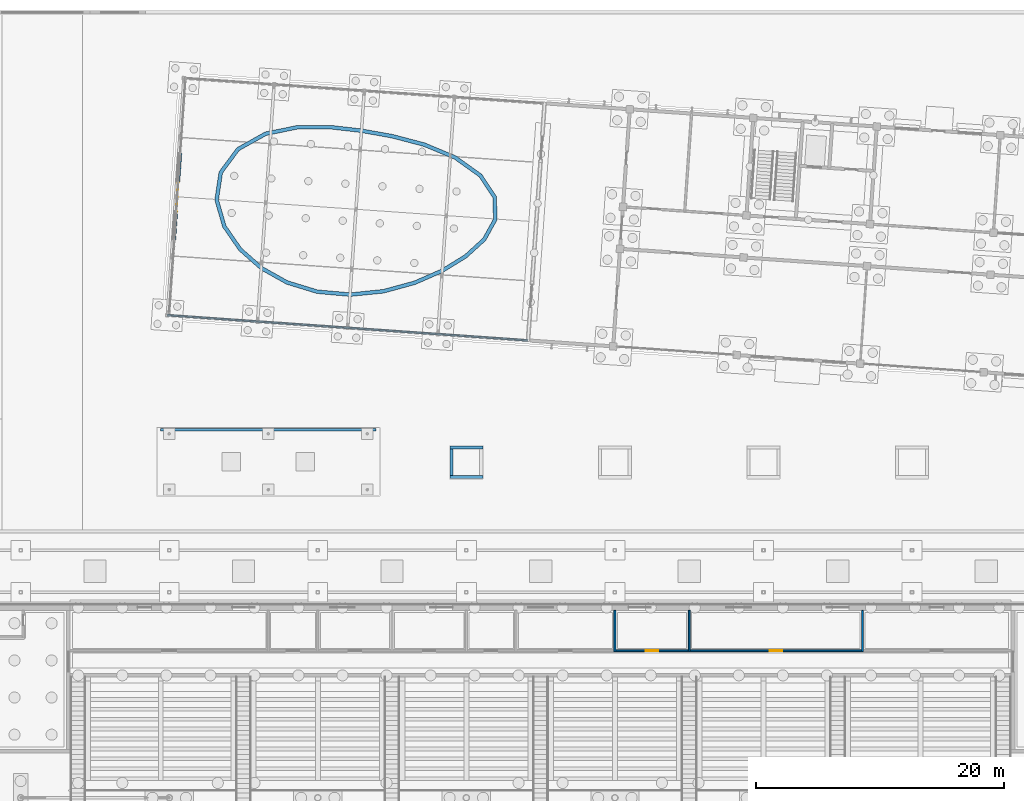
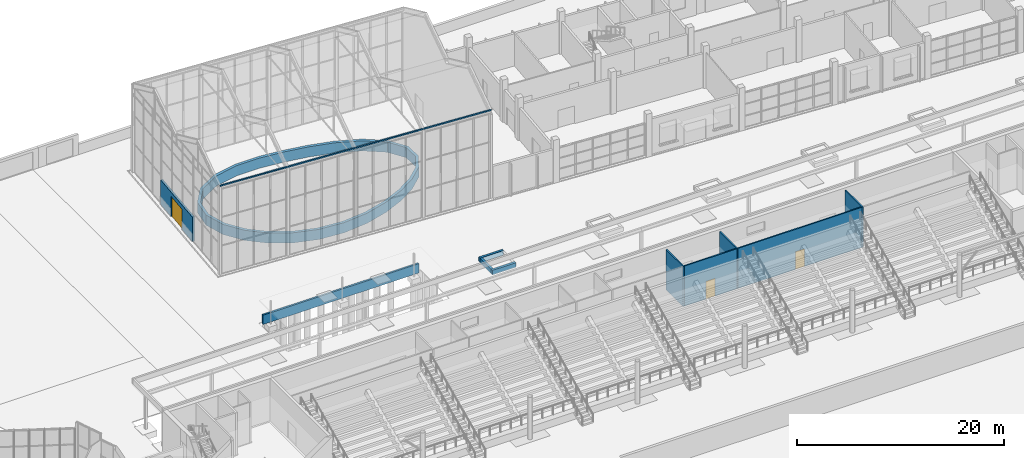
# One storey, part 97 of 157: 12 walls, 3 doors, 3 openings.
"""IFC4 building model written with IfcOpenShell, lengths in metres."""

from ifc_helpers import new_model, si_unit, direction, frame, frame_2d, origin, place, context, subcontext, project, spatial, polyline, rectangle, outline, extrude, material, layer, layer_set, type_object, element, fill, save


model = new_model("IFC4")

# Units and contexts
model_context = context("Model", 3, precision=1e-05, world=origin(), true_north=direction((0.0, 1.0)))
body_context = subcontext(model_context, "Body", "Model", "MODEL_VIEW")
ifc_project = project(units=[si_unit("LENGTHUNIT", "METRE"), si_unit("AREAUNIT", "SQUARE_METRE"), si_unit("VOLUMEUNIT", "CUBIC_METRE"), si_unit("PLANEANGLEUNIT", "RADIAN"), si_unit("MASSUNIT", "GRAM", prefix="KILO")], contexts=[model_context])

# Site, building, storey
site_placement = place(None, origin())
site = spatial("IfcSite", under=ifc_project, at=site_placement, CompositionType="ELEMENT")
building_placement = place(site_placement, origin())
building = spatial("IfcBuilding", under=site, at=building_placement, Name="Windward Yard Aquatics Centre", CompositionType="ELEMENT")
storey_placement = place(building_placement, origin())
storey = spatial("IfcBuildingStorey", under=building, at=storey_placement, Name="L00", CompositionType="ELEMENT", Elevation=0.0)

# Wall
ifc_material_1 = material(Name="Blockwork 150 mm", Category="masonry")
ifc_layer_1 = layer(ifc_material_1, 0.14990234375)
ifc_layer_set_1 = layer_set([ifc_layer_1], Name="H Partition Blockwork 150")
wall_type_1 = type_object("IfcWallType", Name="H Partition Blockwork 150", PredefinedType="PARTITIONING", material=ifc_layer_set_1)
wall_1_placement = place(storey_placement, frame((108.0, 95.550048828125, 0.0), z_axis=(0.0, 0.0, 1.0), x_axis=(0.0, -1.0, 0.0)))
element("IfcWall", 1, at=wall_1_placement, inside=storey, type_object=wall_type_1, Name="L00 partition Ticketing and Security Office", PredefinedType="PARTITIONING", context=body_context, shape_type="SweptSolid", body=[
    extrude(rectangle(XDim=3.344970703125, YDim=0.14990234375, at=frame_2d((1.67236328125, 0.0))), origin(), (0.0, 0.0, 1.0), 4.75),
])

# Wall, opening, door
wall_2_placement = place(storey_placement, frame((108.074951171875, 92.280029296875, 0.0), z_axis=(0.0, 0.0, 1.0), x_axis=(1.0, 0.0, 0.0)))
wall_2 = element("IfcWall", 2, at=wall_2_placement, inside=storey, type_object=wall_type_1, Name="L00 partition Cleaner's Store", PredefinedType="PARTITIONING", context=body_context, shape_type="SweptSolid", body=[
    extrude(rectangle(XDim=5.85009765625, YDim=0.14990234375, at=frame_2d((2.925048828125, 0.0))), origin(), (0.0, 0.0, 1.0), 4.75),
])
opening_1_placement = place(wall_2_placement, frame((2.425048828125, 0.0, 0.0)))
opening_1 = element("IfcOpeningElement", 3, at=opening_1_placement, cuts=wall_2, Name="Opening H0044", PredefinedType="OPENING", context=body_context, shape_type="SweptSolid", body=[
    extrude(rectangle(XDim=1.0, YDim=2.10009765625, at=frame_2d((0.5, 1.050048828125))), frame((0.0, 0.0849609375, 0.0), z_axis=(0.0, -1.0, 0.0), x_axis=(1.0, 0.0, 0.0)), (0.0, 0.0, 1.0), 0.169921875),
])
ifc_material_2 = material(Name="Steel and timber door leaf", Category="steel")
door_type_1 = type_object("IfcDoorType", Name="H Door Single 1000 x 2100 FD30S", OperationType="NOTDEFINED", PredefinedType="DOOR", material=ifc_material_2)
door_1_placement = place(opening_1_placement, origin())
door_1 = element("IfcDoor", 4, at=door_1_placement, inside=storey, type_object=door_type_1, Name="L00 Cleaner's Store door", OperationType="SINGLE_SWING_RIGHT", OverallHeight=2.10009765625, OverallWidth=1.0, PredefinedType="DOOR", context=body_context, shape_type="SweptSolid", body=[
    extrude(rectangle(XDim=1.0, YDim=2.10009765625, at=frame_2d((0.5, 1.050048828125))), frame((0.0, 0.02490234375, 0.0), z_axis=(0.0, -1.0, 0.0), x_axis=(1.0, 0.0, 0.0)), (0.0, 0.0, 1.0), 0.050048828125),
])
fill(opening_1, door_1)

# Wall
wall_3_placement = place(storey_placement, frame((114.0, 95.550048828125, 0.0), z_axis=(0.0, 0.0, 1.0), x_axis=(0.0, -1.0, 0.0)))
element("IfcWall", 5, at=wall_3_placement, inside=storey, type_object=wall_type_1, Name="L00 partition Cleaner's Store", PredefinedType="PARTITIONING", context=body_context, shape_type="SweptSolid", body=[
    extrude(rectangle(XDim=3.344970703125, YDim=0.14990234375, at=frame_2d((1.67236328125, 0.0))), origin(), (0.0, 0.0, 1.0), 4.75),
])

# Wall, opening, door
wall_4_placement = place(storey_placement, frame((114.074951171875, 92.280029296875, 0.0), z_axis=(0.0, 0.0, 1.0), x_axis=(1.0, 0.0, 0.0)))
wall_4 = element("IfcWall", 6, at=wall_4_placement, inside=storey, type_object=wall_type_1, Name="L00 partition Pool Equipment Store", PredefinedType="PARTITIONING", context=body_context, shape_type="SweptSolid", body=[
    extrude(rectangle(XDim=13.85009765625, YDim=0.14990234375, at=frame_2d((6.925048828125, 0.0))), origin(), (0.0, 0.0, 1.0), 4.75),
])
opening_2_placement = place(wall_4_placement, frame((6.425048828125, 0.0, 0.0)))
opening_2 = element("IfcOpeningElement", 7, at=opening_2_placement, cuts=wall_4, Name="Opening H0045", PredefinedType="OPENING", context=body_context, shape_type="SweptSolid", body=[
    extrude(rectangle(XDim=1.0, YDim=2.10009765625, at=frame_2d((0.5, 1.050048828125))), frame((0.0, 0.0849609375, 0.0), z_axis=(0.0, -1.0, 0.0), x_axis=(1.0, 0.0, 0.0)), (0.0, 0.0, 1.0), 0.169921875),
])
door_2_placement = place(opening_2_placement, origin())
door_2 = element("IfcDoor", 8, at=door_2_placement, inside=storey, type_object=door_type_1, Name="L00 Pool Equipment Store door", OperationType="SINGLE_SWING_LEFT", OverallHeight=2.10009765625, OverallWidth=1.0, PredefinedType="DOOR", context=body_context, shape_type="SweptSolid", body=[
    extrude(rectangle(XDim=1.0, YDim=2.10009765625, at=frame_2d((0.5, 1.050048828125))), frame((0.0, 0.02490234375, 0.0), z_axis=(0.0, -1.0, 0.0), x_axis=(1.0, 0.0, 0.0)), (0.0, 0.0, 1.0), 0.050048828125),
])
fill(opening_2, door_2)

# Walls
wall_5_placement = place(storey_placement, frame((128.0, 95.550048828125, 0.0), z_axis=(0.0, 0.0, 1.0), x_axis=(0.0, -1.0, 0.0)))
element("IfcWall", 9, at=wall_5_placement, inside=storey, type_object=wall_type_1, Name="L00 partition Pool Equipment Store", PredefinedType="PARTITIONING", context=body_context, shape_type="SweptSolid", body=[
    extrude(rectangle(XDim=3.344970703125, YDim=0.14990234375, at=frame_2d((1.67236328125, 0.0))), origin(), (0.0, 0.0, 1.0), 4.75),
])
ifc_material_3 = material(Name="Aluminium composite cladding on steel", Category="steel")
ifc_layer_2 = layer(ifc_material_3, 0.14990234375)
ifc_layer_set_2 = layer_set([ifc_layer_2], Name="W eaves fascia 150")
wall_type_2 = type_object("IfcWallType", Name="W eaves fascia 150", PredefinedType="SOLIDWALL", material=ifc_layer_set_2)
wall_6_placement = place(storey_placement, frame((71.851318359375, 119.38330078125, 10.39990234375), z_axis=(0.0, 0.0, 1.0), x_axis=(0.997564072287, -0.069756158737, 0.0)))
element("IfcWall", 10, at=wall_6_placement, inside=storey, type_object=wall_type_2, Name="W.FAS.S", PredefinedType="SOLIDWALL", context=body_context, shape_type="SweptSolid", body=[
    extrude(rectangle(XDim=29.19970703125, YDim=0.14990234375, at=frame_2d((14.599853515625, 0.0))), origin(), (0.0, 0.0, 1.0), 0.10009765625),
])

# Wall, opening, door
ifc_material_4 = material(Name="Concrete C40/50", Category="concrete")
ifc_layer_3 = layer(ifc_material_4, 0.25)
ifc_layer_set_3 = layer_set([ifc_layer_3], Name="W facade wall 250 Precast Concrete C40/50")
wall_type_3 = type_object("IfcWallType", Name="W facade wall 250 Precast Concrete C40/50", PredefinedType="SOLIDWALL", material=ifc_layer_set_3)
wall_7_placement = place(storey_placement, frame((72.4033203125, 125.459716796875, 0.0), z_axis=(0.0, 0.0, 1.0), x_axis=(0.069757280782, 0.997563993826, 0.0)))
wall_7 = element("IfcWall", 11, at=wall_7_placement, inside=storey, type_object=wall_type_3, Name="W.FW.L00.HWE", PredefinedType="SOLIDWALL", context=body_context, shape_type="SweptSolid", body=[
    extrude(rectangle(XDim=6.999755859375, YDim=0.25, at=frame_2d((3.5, 0.0))), origin(), (0.0, 0.0, 1.0), 2.89990234375),
])
opening_3_placement = place(wall_7_placement, frame((2.300048828125, 0.0, 0.0)))
opening_3 = element("IfcOpeningElement", 12, at=opening_3_placement, cuts=wall_7, Name="Opening W0004", PredefinedType="OPENING", context=body_context, shape_type="SweptSolid", body=[
    extrude(rectangle(XDim=2.39990234375, YDim=2.39990234375, at=frame_2d((1.199951171875, 1.199951171875))), frame((0.0, 0.135009765625, 0.0), z_axis=(0.0, -1.0, 0.0), x_axis=(1.0, 0.0, 0.0)), (0.0, 0.0, 1.0), 0.27001953125),
])
ifc_material_5 = material(Name="Aluminium and glass automatic sliding door", Category="aluminium")
door_type_2 = type_object("IfcDoorType", Name="W entrance door 2400x2400", OperationType="DOUBLE_DOOR_SLIDING", PredefinedType="DOOR", material=ifc_material_5)
door_3_placement = place(opening_3_placement, origin())
door_3 = element("IfcDoor", 13, at=door_3_placement, inside=storey, type_object=door_type_2, Name="W.DRX.L00.W0004", OperationType="DOUBLE_DOOR_SLIDING", OverallHeight=2.39990234375, OverallWidth=2.39990234375, PredefinedType="DOOR", context=body_context, shape_type="SweptSolid", body=[
    extrude(rectangle(XDim=2.39990234375, YDim=2.39990234375, at=frame_2d((1.199951171875, 1.199951171875))), frame((0.0, 0.02490234375, 0.0), z_axis=(0.0, -1.0, 0.0), x_axis=(1.0, 0.0, 0.0)), (0.0, 0.0, 1.0), 0.050048828125),
])
fill(opening_3, door_3)

# Walls
ifc_material_6 = material(Name="Ceramic tile in waterproof adhesive")
ifc_layer_4 = layer(ifc_material_6, 0.02, Name="Tile lining")
ifc_material_7 = material(Name="Cementitious waterproofing membrane")
ifc_layer_5 = layer(ifc_material_7, 0.005, Name="Waterproofing")
ifc_material_8 = material(Name="Concrete C35/45", Category="concrete")
ifc_layer_6 = layer(ifc_material_8, 0.275, Name="Structure")
ifc_layer_set_4 = layer_set([ifc_layer_4, ifc_layer_5, ifc_layer_6], Name="W pool tank wall 300 Concrete C35/45")
wall_type_4 = type_object("IfcWallType", Name="W pool tank wall 300 Concrete C35/45", PredefinedType="SOLIDWALL", material=ifc_layer_set_4)
wall_8_placement = place(storey_placement, frame((0.0, 0.0, -1.199951171875)))
element("IfcWall", 14, at=wall_8_placement, inside=storey, type_object=wall_type_4, Name="W.TANK.WALL", PredefinedType="SOLIDWALL", context=body_context, shape_type="SweptSolid", body=[
    extrude(outline(polyline([(75.67626953125, 128.6982421875), (76.020751953125, 130.9716796875), (77.460693359375, 132.916015625), (79.7431640625, 134.18896484375), (82.404052734375, 134.7255859375), (85.049072265625, 134.719970703125), (87.562255859375, 134.43310546875), (90.05810546875, 133.98583984375), (92.64208984375, 133.306884765625), (95.168701171875, 132.252197265625), (97.24169921875, 130.77490234375), (98.430908203125, 128.9736328125), (98.49072265625, 127.0927734375), (97.567626953125, 125.4169921875), (96.032470703125, 124.018798828125), (94.119873046875, 122.843505859375), (91.88623046875, 121.86669921875), (89.347412109375, 121.171142578125), (86.615478515625, 120.89404296875), (83.9130859375, 121.13818359375), (81.45751953125, 121.890380859375), (79.3544921875, 123.06787109375), (77.61572265625, 124.60791015625), (76.3115234375, 126.50048828125), (75.67626953125, 128.6982421875)]), holes=[polyline([(75.982421875, 128.718017578125), (76.586181640625, 126.630615234375), (77.84228515625, 124.80859375), (79.529052734375, 123.314208984375), (81.576171875, 122.167724609375), (83.970703125, 121.433837890625), (86.613525390625, 121.19580078125), (89.2919921875, 121.466796875), (91.78564453125, 122.150390625), (93.97998046875, 123.10986328125), (95.851806640625, 124.260009765625), (97.3291015625, 125.605224609375), (98.18798828125, 127.1650390625), (98.133544921875, 128.879150390625), (97.022216796875, 130.562744140625), (95.02197265625, 131.98876953125), (92.5458984375, 133.02197265625), (89.993408203125, 133.692626953125), (87.518310546875, 134.13623046875), (85.0322265625, 134.42041015625), (82.43408203125, 134.42578125), (79.848388671875, 133.90380859375), (77.6630859375, 132.685302734375), (76.30615234375, 130.853515625), (75.982421875, 128.718017578125)])]), origin(), (0.0, 0.0, 1.0), 1.199951171875),
])
ifc_material_9 = material(Name="Bituminous waterproofing membrane with root barrier")
ifc_layer_7 = layer(ifc_material_9, 0.005, Name="Waterproofing and root barrier")
ifc_material_10 = material(Name="Concrete C30/37", Category="concrete")
ifc_layer_8 = layer(ifc_material_10, 0.245, Name="Structure")
ifc_layer_set_5 = layer_set([ifc_layer_7, ifc_layer_8], Name="X Planter Wall Concrete C30/37 250 x 550")
wall_type_5 = type_object("IfcWallType", Name="X Planter Wall Concrete C30/37 250 x 550", PredefinedType="USERDEFINED", material=ifc_layer_set_5)
for number, where, z_axis, x_axis, name in (
    (15, (94.675048828125, 106.300048828125, -0.10009765625), (0.0, 0.0, 1.0), (1.0, 0.0, 0.0), "Tree well planter wall"),
    (16, (94.675048828125, 108.699951171875, -0.10009765625), (0.0, 0.0, 1.0), (1.0, 0.0, 0.0), "Tree well planter wall"),
):
    element("IfcWall", number, at=place(storey_placement, frame(where, z_axis=z_axis, x_axis=x_axis)), inside=storey, type_object=wall_type_5, Name=name, ObjectType="PLANTER WALL", PredefinedType="USERDEFINED", context=body_context, shape_type="SweptSolid", body=[
        extrude(rectangle(XDim=2.64990234375, YDim=0.25, at=frame_2d((1.324951171875, 0.0))), origin(), (0.0, 0.0, 1.0), 0.550048828125),
    ])
wall_9_placement = place(storey_placement, frame((94.800048828125, 106.425048828125, -0.10009765625), z_axis=(0.0, 0.0, 1.0), x_axis=(0.0, 1.0, 0.0)))
element("IfcWall", 17, at=wall_9_placement, inside=storey, type_object=wall_type_5, Name="Tree well planter wall", ObjectType="PLANTER WALL", PredefinedType="USERDEFINED", context=body_context, shape_type="SweptSolid", body=[
    extrude(rectangle(XDim=2.14990234375, YDim=0.25, at=frame_2d((1.074951171875, 0.0))), origin(), (0.0, 0.0, 1.0), 0.550048828125),
])
ifc_layer_9 = layer(ifc_material_10, 0.199951171875)
ifc_layer_set_6 = layer_set([ifc_layer_9], Name="X Shelter Back Wall Concrete C30/37 200 x 1000")
wall_type_6 = type_object("IfcWallType", Name="X Shelter Back Wall Concrete C30/37 200 x 1000", PredefinedType="SOLIDWALL", material=ifc_layer_set_6)
wall_10_placement = place(storey_placement, frame((71.300048828125, 110.14990234375, -0.10009765625), z_axis=(0.0, 0.0, 1.0), x_axis=(1.0, 0.0, 0.0)))
element("IfcWall", 18, at=wall_10_placement, inside=storey, type_object=wall_type_6, Name="Bicycle shelter back wall", PredefinedType="SOLIDWALL", context=body_context, shape_type="SweptSolid", body=[
    extrude(rectangle(XDim=17.39990234375, YDim=0.199951171875, at=frame_2d((8.699951171875, 0.0))), origin(), (0.0, 0.0, 1.0), 1.10009765625),
])

save(model, "model.ifc")
